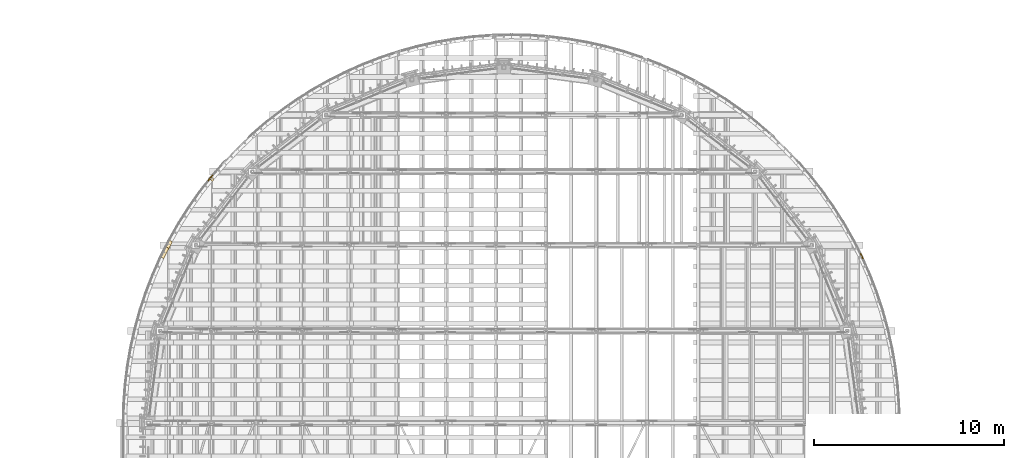
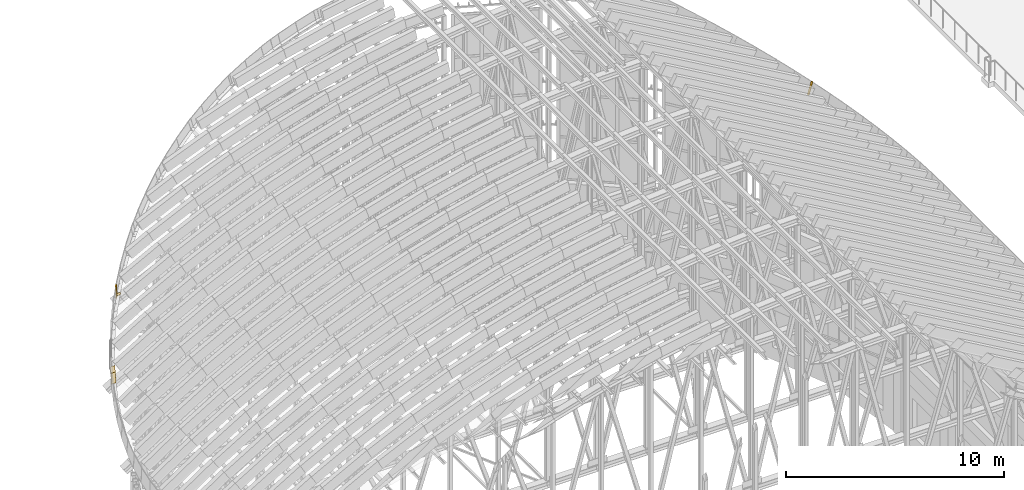
# One storey, part 103 of 105: 5 coverings.
"""IFC4 building model written with IfcOpenShell, lengths in metres."""

from ifc_helpers import new_model, si_unit, direction, frame, origin, origin_2d, place, context, subcontext, project, spatial, polyline, rectangle, outline, extrude, material, material_profile, profile_set, type_object, element, save


model = new_model("IFC4")

# Units and contexts
model_context = context("Model", 3, precision=1e-05, world=origin(), true_north=direction((0.0, 1.0)))
body_context = subcontext(model_context, "Body", "Model", "MODEL_VIEW")
ifc_project = project(units=[si_unit("LENGTHUNIT", "METRE"), si_unit("AREAUNIT", "SQUARE_METRE"), si_unit("VOLUMEUNIT", "CUBIC_METRE"), si_unit("PLANEANGLEUNIT", "RADIAN"), si_unit("MASSUNIT", "GRAM", prefix="KILO")], contexts=[model_context])

# Site, building, storey
site_placement = place(None, origin())
site = spatial("IfcSite", under=ifc_project, at=site_placement, CompositionType="ELEMENT")
building_placement = place(site_placement, origin())
building = spatial("IfcBuilding", under=site, at=building_placement, Name="Wasatch Bagh Community Centre", CompositionType="ELEMENT")
storey_placement = place(building_placement, frame((0.0, 0.0, 16.800048828125)))
storey = spatial("IfcBuildingStorey", under=building, at=storey_placement, Name="L04", CompositionType="ELEMENT", Elevation=16.800048828125)

# Coverings
ifc_material = material(Name="ASTM A653 Grade 50 steel, zinc-aluminium coated", Category="steel")
ifc_material_profile_1 = material_profile(ifc_material, outline(polyline([(-0.080078125, 0.0029296875), (0.152099609375, 0.0029296875), (0.152099609375, -0.031982421875), (0.14892578125, -0.031982421875), (0.14892578125, 0.0), (-0.080078125, 0.0), (-0.080078125, 0.0029296875)])), Name="DRIP EDGE")
ifc_profile_set_1 = profile_set([ifc_material_profile_1], Name="ASTM A653 Grade 50 steel, zinc-aluminium coated")
covering_type_1 = type_object("IfcCoveringType", Name="MH drip edge", PredefinedType="CLADDING", material=ifc_profile_set_1)
covering_1_placement = place(storey_placement, frame((18.005615234375, 73.7041015625, 10.394775390625), z_axis=(0.429972933929, 0.854850473017, 0.290437505963), x_axis=(-0.708540927179, 0.518874404582, -0.478266773654)))
element("IfcCovering", 1, at=covering_1_placement, inside=storey, type_object=covering_type_1, Name="Drip edge 93", PredefinedType="CLADDING", context=body_context, shape_type="SweptSolid", body=[
    extrude(outline(polyline([(-0.080078125, 0.0029296875), (0.152099609375, 0.0029296875), (0.152099609375, -0.031982421875), (0.14892578125, -0.031982421875), (0.14892578125, 0.0), (-0.080078125, 0.0), (-0.080078125, 0.0029296875)])), origin(), (0.0, 0.0, 1.0), 0.622802734375),
])
covering_2_placement = place(storey_placement, frame((18.277099609375, 74.243408203125, 10.560302734375), z_axis=(0.433824960288, 0.862173869184, 0.261633566513), x_axis=(-0.738530350896, 0.506612444254, -0.444878356556)))
element("IfcCovering", 2, at=covering_2_placement, inside=storey, type_object=covering_type_1, Name="Drip edge 94", PredefinedType="CLADDING", context=body_context, shape_type="SweptSolid", body=[
    extrude(outline(polyline([(-0.080078125, 0.0029296875), (0.152099609375, 0.0029296875), (0.152099609375, -0.031982421875), (0.14892578125, -0.031982421875), (0.14892578125, 0.0), (-0.080078125, 0.0), (-0.080078125, 0.0029296875)])), origin(), (0.0, 0.0, 1.0), 0.4013671875),
])
covering_3_placement = place(storey_placement, frame((20.577392578125, 77.792236328125, 11.930908203125), z_axis=(0.584966230965, 0.74913931486, 0.310813119995), x_axis=(-0.660747929586, 0.662411501347, -0.35302007936)))
element("IfcCovering", 3, at=covering_3_placement, inside=storey, type_object=covering_type_1, Name="Drip edge 99", PredefinedType="CLADDING", context=body_context, shape_type="SweptSolid", body=[
    extrude(outline(polyline([(-0.080078125, 0.0029296875), (0.152099609375, 0.0029296875), (0.152099609375, -0.031982421875), (0.14892578125, -0.031982421875), (0.14892578125, 0.0), (-0.080078125, 0.0), (-0.080078125, 0.0029296875)])), origin(), (0.0, 0.0, 1.0), 0.153076171875),
])
ifc_material_profile_2 = material_profile(ifc_material, rectangle(XDim=0.0400390625, YDim=0.85009765625, at=origin_2d()), Name="FASCIA 40x850")
ifc_profile_set_2 = profile_set([ifc_material_profile_2], Name="ASTM A653 Grade 50 steel, zinc-aluminium coated")
covering_type_2 = type_object("IfcCoveringType", Name="MH eave fascia 40x850", PredefinedType="CLADDING", material=ifc_profile_set_2)
covering_4_placement = place(storey_placement, frame((20.48291015625, 77.8662109375, 12.0771484375), z_axis=(0.584615308177, 0.749138195451, 0.311475369111), x_axis=(-0.788355552424, 0.615219898054, 0.0)))
element("IfcCovering", 4, at=covering_4_placement, inside=storey, type_object=covering_type_2, Name="Eave fascia 99", PredefinedType="CLADDING", context=body_context, shape_type="SweptSolid", body=[
    extrude(rectangle(XDim=0.0400390625, YDim=0.85009765625, at=origin_2d()), origin(), (0.0, 0.0, 1.0), 0.15283203125),
])
covering_5_placement = place(storey_placement, frame((54.85888671875, 73.843017578125, 13.94970703125), z_axis=(0.434884962404, -0.864799810953, -0.250990749731), x_axis=(0.893397938854, 0.449266204884, 0.0)))
element("IfcCovering", 5, at=covering_5_placement, inside=storey, type_object=covering_type_2, Name="Eave fascia 151", PredefinedType="CLADDING", context=body_context, shape_type="SweptSolid", body=[
    extrude(rectangle(XDim=0.0400390625, YDim=0.85009765625, at=origin_2d()), origin(), (0.0, 0.0, 1.0), 0.09814453125),
])

save(model, "model.ifc")
